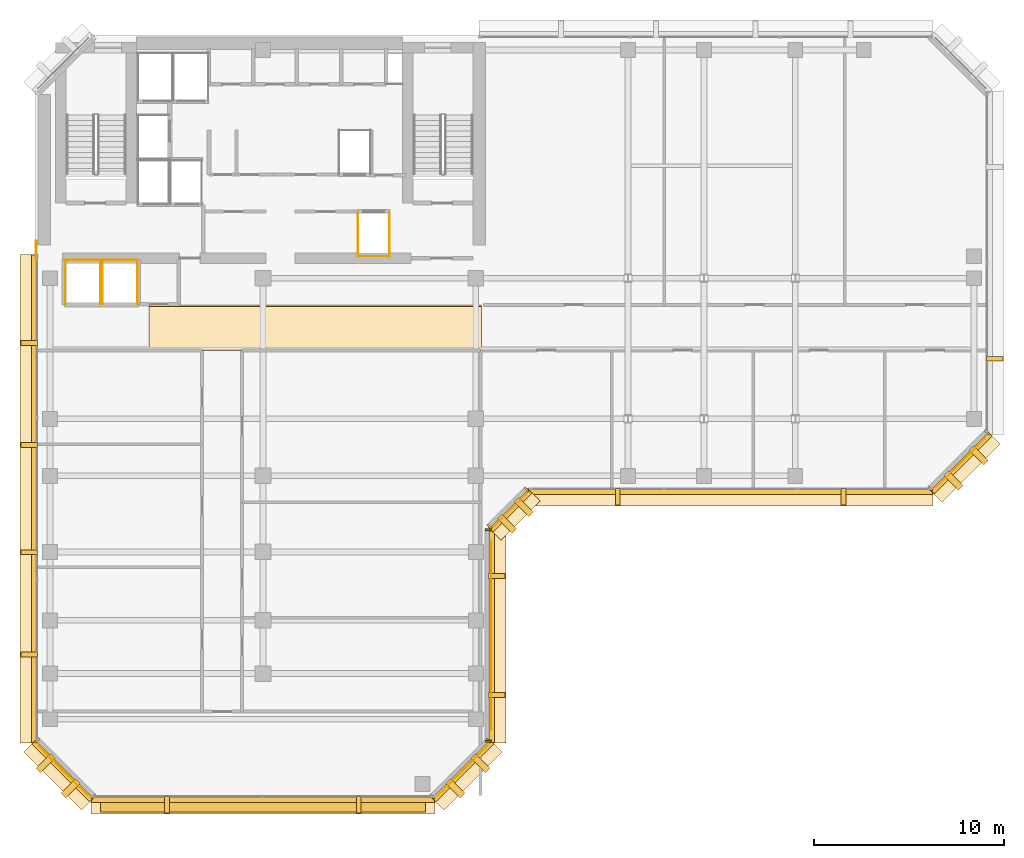
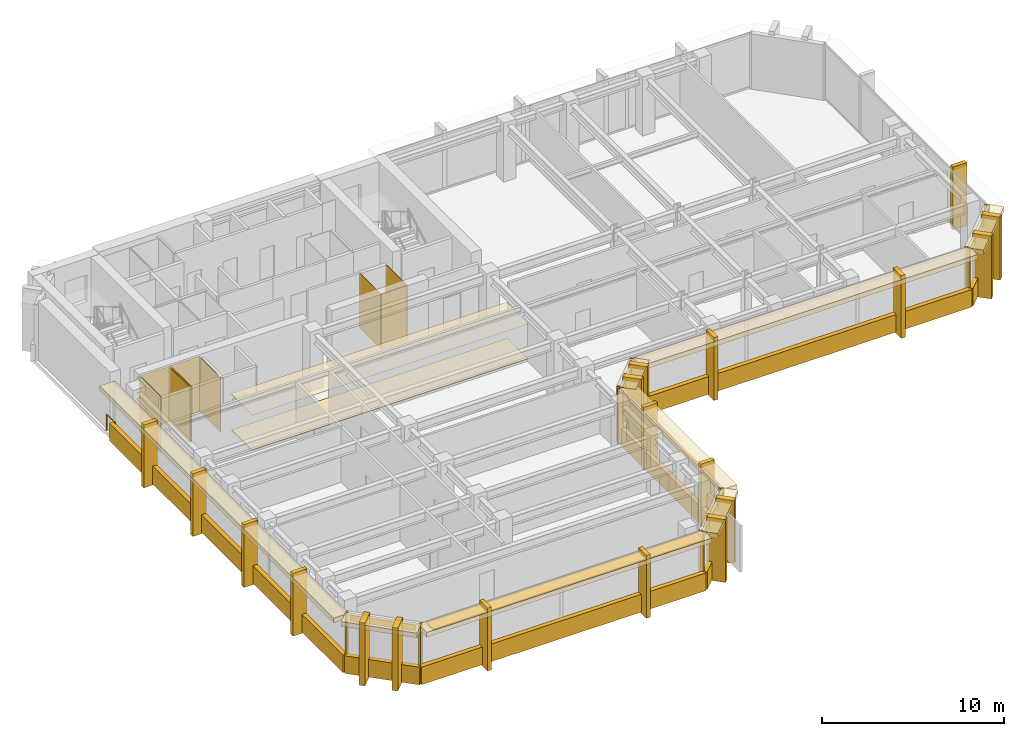
# One storey, part 9 of 12: 61 coverings, 1 railing, 1 shading device.
"""IFC4 building model written with IfcOpenShell, lengths in metres."""

from ifc_helpers import new_model, si_unit, direction, frame, origin, origin_2d, place, context, subcontext, project, spatial, polyline, rectangle, circle, outline, extrude, material, layer, layer_set, type_object, element, save


model = new_model("IFC4")

# Units and contexts
model_context = context("Model", 3, precision=1e-05, world=origin(), true_north=direction((0.0, 1.0)))
body_context = subcontext(model_context, "Body", "Model", "MODEL_VIEW")
ifc_project = project(units=[si_unit("LENGTHUNIT", "METRE"), si_unit("AREAUNIT", "SQUARE_METRE"), si_unit("VOLUMEUNIT", "CUBIC_METRE"), si_unit("PLANEANGLEUNIT", "RADIAN"), si_unit("MASSUNIT", "GRAM", prefix="KILO")], contexts=[model_context])

# Site, building, storey
site_placement = place(None, origin())
site = spatial("IfcSite", under=ifc_project, at=site_placement, CompositionType="ELEMENT")
building_placement = place(site_placement, origin())
building = spatial("IfcBuilding", under=site, at=building_placement, Name="Kefirva Bronze Tower", CompositionType="ELEMENT")
storey_placement = place(building_placement, frame((0.0, 0.0, 256.409912109375)))
storey = spatial("IfcBuildingStorey", under=building, at=storey_placement, Name="L62", CompositionType="ELEMENT", Elevation=256.409912109375)

# Coverings
ifc_material_1 = material(Name="Acoustic mineral tile")
ifc_layer_1 = layer(ifc_material_1, 0.02490234375, Name="Acoustic mineral tile")
ifc_layer_set_1 = layer_set([ifc_layer_1], Name="Acoustic mineral tile")
covering_type_1 = type_object("IfcCoveringType", Name="Acoustic Mineral Suspended Ceiling 25mm", PredefinedType="CEILING", material=ifc_layer_set_1)
covering_1_placement = place(storey_placement, frame((0.0, 0.0, 2.400146484375)))
element("IfcCovering", 1, at=covering_1_placement, inside=storey, type_object=covering_type_1, Name="L62 Corridor Acoustic Ceiling", PredefinedType="CEILING", context=body_context, shape_type="SweptSolid", body=[
    extrude(outline(polyline([(6.0, 29.39990234375), (23.5, 29.39990234375), (23.5, 31.800048828125), (6.0, 31.800048828125), (6.0, 29.39990234375)])), origin(), (0.0, 0.0, 1.0), 0.02490234375),
])
ifc_material_2 = material(Name="Bronze anodised aluminium", Category="aluminium")
ifc_layer_2 = layer(ifc_material_2, 0.02001953125, Name="Bronze anodised aluminium")
ifc_layer_set_2 = layer_set([ifc_layer_2], Name="Bronze anodised aluminium")
covering_type_2 = type_object("IfcCoveringType", Name="Anodised Bronze Spandrel Cladding 20mm", PredefinedType="CLADDING", material=ifc_layer_set_2)
covering_2_placement = place(storey_placement, frame((12.0, 5.760009765625, -0.15966796875), z_axis=(0.0, 0.0, 1.0), x_axis=(1.0, 0.0, 0.0)))
element("IfcCovering", 2, at=covering_2_placement, inside=storey, type_object=covering_type_2, Name="L62 Streamline Horizontal Spandrel Band 0", PredefinedType="CLADDING", context=body_context, shape_type="SweptSolid", body=[
    extrude(rectangle(XDim=18.0400390625, YDim=0.280029296875, at=origin_2d()), origin(), (0.0, 0.0, 1.0), 1.179931640625),
])
covering_3_placement = place(storey_placement, frame((22.507080078125, 7.29296875, 3.2900390625), z_axis=(0.0, 0.0, 1.0), x_axis=(0.707106781187, 0.707106781187, 0.0)))
element("IfcCovering", 3, at=covering_3_placement, inside=storey, type_object=covering_type_2, Name="L62 Bronze Spandrel Cladding 1", PredefinedType="CLADDING", context=body_context, shape_type="SweptSolid", body=[
    extrude(rectangle(XDim=3.719482421875, YDim=0.02001953125, at=origin_2d()), origin(), (0.0, 0.0, 1.0), 0.39990234375),
])
for number, where, z_axis, x_axis, name in (
    (4, (20.91162109375, 5.93798828125, 0.0), (0.0, 0.0, 1.0), (0.707106781187, 0.707106781187, 0.0), "L62 Facade Joint Closure Panel 1S"),
    (5, (23.862060546875, 8.88818359375, 0.0), (0.0, 0.0, 1.0), (0.707106781187, 0.707106781187, 0.0), "L62 Facade Joint Closure Panel 1E"),
):
    element("IfcCovering", number, at=place(storey_placement, frame(where, z_axis=z_axis, x_axis=x_axis)), inside=storey, type_object=covering_type_2, Name=name, PredefinedType="CLADDING", context=body_context, shape_type="SweptSolid", body=[
        extrude(rectangle(XDim=0.10009765625, YDim=0.320068359375, at=origin_2d()), origin(), (0.0, 0.0, 1.0), 3.7099609375),
    ])
covering_4_placement = place(storey_placement, frame((22.5283203125, 7.271728515625, -0.15966796875), z_axis=(0.0, 0.0, 1.0), x_axis=(0.707106781187, 0.707106781187, 0.0)))
element("IfcCovering", 6, at=covering_4_placement, inside=storey, type_object=covering_type_2, Name="L62 Streamline Horizontal Spandrel Band 1", PredefinedType="CLADDING", context=body_context, shape_type="SweptSolid", body=[
    extrude(rectangle(XDim=4.28271484375, YDim=0.280029296875, at=origin_2d()), origin(), (0.0, 0.0, 1.0), 1.179931640625),
])
covering_5_placement = place(storey_placement, frame((24.010009765625, 14.39990234375, 3.2900390625), z_axis=(0.0, 0.0, 1.0), x_axis=(0.0, 1.0, 0.0)))
element("IfcCovering", 7, at=covering_5_placement, inside=storey, type_object=covering_type_2, Name="L62 Bronze Spandrel Cladding 2", PredefinedType="CLADDING", context=body_context, shape_type="SweptSolid", body=[
    extrude(rectangle(XDim=9.98095703125, YDim=0.02001953125, at=origin_2d()), origin(), (0.0, 0.0, 1.0), 0.39990234375),
])
for number, where, z_axis, x_axis, name in (
    (8, (23.840087890625, 8.8349609375, 0.0), (0.0, 0.0, 1.0), (0.0, 1.0, 0.0), "L62 Facade Joint Closure Panel 2S"),
    (9, (23.840087890625, 19.965087890625, 0.0), (0.0, 0.0, 1.0), (0.0, 1.0, 0.0), "L62 Facade Joint Closure Panel 2E"),
):
    element("IfcCovering", number, at=place(storey_placement, frame(where, z_axis=z_axis, x_axis=x_axis)), inside=storey, type_object=covering_type_2, Name=name, PredefinedType="CLADDING", context=body_context, shape_type="SweptSolid", body=[
        extrude(rectangle(XDim=0.10009765625, YDim=0.320068359375, at=origin_2d()), origin(), (0.0, 0.0, 1.0), 3.7099609375),
    ])
covering_6_placement = place(storey_placement, frame((24.0400390625, 14.39990234375, -0.15966796875), z_axis=(0.0, 0.0, 1.0), x_axis=(0.0, 1.0, 0.0)))
element("IfcCovering", 10, at=covering_6_placement, inside=storey, type_object=covering_type_2, Name="L62 Streamline Horizontal Spandrel Band 2", PredefinedType="CLADDING", context=body_context, shape_type="SweptSolid", body=[
    extrude(rectangle(XDim=11.239990234375, YDim=0.280029296875, at=origin_2d()), origin(), (0.0, 0.0, 1.0), 1.179931640625),
])
covering_7_placement = place(storey_placement, frame((25.007080078125, 20.992919921875, 3.2900390625), z_axis=(0.0, 0.0, 1.0), x_axis=(0.707106781187, 0.707106781187, 0.0)))
element("IfcCovering", 11, at=covering_7_placement, inside=storey, type_object=covering_type_2, Name="L62 Bronze Spandrel Cladding 3", PredefinedType="CLADDING", context=body_context, shape_type="SweptSolid", body=[
    extrude(rectangle(XDim=2.446533203125, YDim=0.02001953125, at=origin_2d()), origin(), (0.0, 0.0, 1.0), 0.39990234375),
])
for number, where, z_axis, x_axis, name in (
    (12, (23.91162109375, 20.137939453125, 0.0), (0.0, 0.0, 1.0), (0.707106781187, 0.707106781187, 0.0), "L62 Facade Joint Closure Panel 3S"),
    (13, (25.862060546875, 22.08837890625, 0.0), (0.0, 0.0, 1.0), (0.707106781187, 0.707106781187, 0.0), "L62 Facade Joint Closure Panel 3E"),
):
    element("IfcCovering", number, at=place(storey_placement, frame(where, z_axis=z_axis, x_axis=x_axis)), inside=storey, type_object=covering_type_2, Name=name, PredefinedType="CLADDING", context=body_context, shape_type="SweptSolid", body=[
        extrude(rectangle(XDim=0.10009765625, YDim=0.320068359375, at=origin_2d()), origin(), (0.0, 0.0, 1.0), 3.7099609375),
    ])
covering_8_placement = place(storey_placement, frame((25.0283203125, 20.9716796875, -0.15966796875), z_axis=(0.0, 0.0, 1.0), x_axis=(0.707106781187, 0.707106781187, 0.0)))
element("IfcCovering", 14, at=covering_8_placement, inside=storey, type_object=covering_type_2, Name="L62 Streamline Horizontal Spandrel Band 3", PredefinedType="CLADDING", context=body_context, shape_type="SweptSolid", body=[
    extrude(rectangle(XDim=2.868408203125, YDim=0.280029296875, at=origin_2d()), origin(), (0.0, 0.0, 1.0), 1.179931640625),
])
covering_9_placement = place(storey_placement, frame((36.60009765625, 21.9599609375, -0.15966796875), z_axis=(0.0, 0.0, 1.0), x_axis=(1.0, 0.0, 0.0)))
element("IfcCovering", 15, at=covering_9_placement, inside=storey, type_object=covering_type_2, Name="L62 Streamline Horizontal Spandrel Band 4", PredefinedType="CLADDING", context=body_context, shape_type="SweptSolid", body=[
    extrude(rectangle(XDim=21.239990234375, YDim=0.280029296875, at=origin_2d()), origin(), (0.0, 0.0, 1.0), 1.179931640625),
])
covering_10_placement = place(storey_placement, frame((48.70703125, 23.492919921875, 3.2900390625), z_axis=(0.0, 0.0, 1.0), x_axis=(0.707106781187, 0.707106781187, 0.0)))
element("IfcCovering", 16, at=covering_10_placement, inside=storey, type_object=covering_type_2, Name="L62 Bronze Spandrel Cladding 4", PredefinedType="CLADDING", context=body_context, shape_type="SweptSolid", body=[
    extrude(rectangle(XDim=3.719482421875, YDim=0.02001953125, at=origin_2d()), origin(), (0.0, 0.0, 1.0), 0.39990234375),
])
for number, where, z_axis, x_axis, name in (
    (17, (47.11181640625, 22.137939453125, 0.0), (0.0, 0.0, 1.0), (0.707106781187, 0.707106781187, 0.0), "L62 Facade Joint Closure Panel 4S"),
    (18, (50.06201171875, 25.08837890625, 0.0), (0.0, 0.0, 1.0), (0.707106781187, 0.707106781187, 0.0), "L62 Facade Joint Closure Panel 4E"),
):
    element("IfcCovering", number, at=place(storey_placement, frame(where, z_axis=z_axis, x_axis=x_axis)), inside=storey, type_object=covering_type_2, Name=name, PredefinedType="CLADDING", context=body_context, shape_type="SweptSolid", body=[
        extrude(rectangle(XDim=0.10009765625, YDim=0.320068359375, at=origin_2d()), origin(), (0.0, 0.0, 1.0), 3.7099609375),
    ])
covering_11_placement = place(storey_placement, frame((48.728271484375, 23.4716796875, -0.15966796875), z_axis=(0.0, 0.0, 1.0), x_axis=(0.707106781187, 0.707106781187, 0.0)))
element("IfcCovering", 19, at=covering_11_placement, inside=storey, type_object=covering_type_2, Name="L62 Streamline Horizontal Spandrel Band 5", PredefinedType="CLADDING", context=body_context, shape_type="SweptSolid", body=[
    extrude(rectangle(XDim=4.28271484375, YDim=0.280029296875, at=origin_2d()), origin(), (0.0, 0.0, 1.0), 1.179931640625),
])
covering_12_placement = place(storey_placement, frame((-0.0400390625, 21.597412109375, -0.15966796875), z_axis=(0.0, 0.0, 1.0), x_axis=(0.0, -1.0, 0.0)))
element("IfcCovering", 20, at=covering_12_placement, inside=storey, type_object=covering_type_2, Name="L62 Streamline Horizontal Spandrel Band 10", PredefinedType="CLADDING", context=body_context, shape_type="SweptSolid", body=[
    extrude(rectangle(XDim=25.635009765625, YDim=0.280029296875, at=origin_2d()), origin(), (0.0, 0.0, 1.0), 1.179931640625),
])
covering_13_placement = place(storey_placement, frame((1.492919921875, 7.29296875, 3.2900390625), z_axis=(0.0, 0.0, 1.0), x_axis=(0.707106781187, -0.707106781187, 0.0)))
element("IfcCovering", 21, at=covering_13_placement, inside=storey, type_object=covering_type_2, Name="L62 Bronze Spandrel Cladding 7", PredefinedType="CLADDING", context=body_context, shape_type="SweptSolid", body=[
    extrude(rectangle(XDim=3.719482421875, YDim=0.02001953125, at=origin_2d()), origin(), (0.0, 0.0, 1.0), 0.39990234375),
])
for number, where, z_axis, x_axis, name in (
    (22, (0.137939453125, 8.88818359375, 0.0), (0.0, 0.0, 1.0), (0.707106781187, -0.707106781187, 0.0), "L62 Facade Joint Closure Panel 7S"),
    (23, (3.08837890625, 5.93798828125, 0.0), (0.0, 0.0, 1.0), (0.707106781187, -0.707106781187, 0.0), "L62 Facade Joint Closure Panel 7E"),
):
    element("IfcCovering", number, at=place(storey_placement, frame(where, z_axis=z_axis, x_axis=x_axis)), inside=storey, type_object=covering_type_2, Name=name, PredefinedType="CLADDING", context=body_context, shape_type="SweptSolid", body=[
        extrude(rectangle(XDim=0.10009765625, YDim=0.320068359375, at=origin_2d()), origin(), (0.0, 0.0, 1.0), 3.7099609375),
    ])
covering_14_placement = place(storey_placement, frame((1.4716796875, 7.271728515625, -0.15966796875), z_axis=(0.0, 0.0, 1.0), x_axis=(0.707106781187, -0.707106781187, 0.0)))
element("IfcCovering", 24, at=covering_14_placement, inside=storey, type_object=covering_type_2, Name="L62 Streamline Horizontal Spandrel Band 11", PredefinedType="CLADDING", context=body_context, shape_type="SweptSolid", body=[
    extrude(rectangle(XDim=4.28271484375, YDim=0.280029296875, at=origin_2d()), origin(), (0.0, 0.0, 1.0), 1.179931640625),
])
covering_15_placement = place(storey_placement, origin())
element("IfcCovering", 25, at=covering_15_placement, inside=storey, type_object=covering_type_2, Name="L62 Lift OB1 Hoistway Liner N", PredefinedType="CLADDING", context=body_context, shape_type="SweptSolid", body=[
    extrude(outline(polyline([(1.580078125, 34.139892578125), (3.469970703125, 34.139892578125), (3.469970703125, 34.159912109375), (1.580078125, 34.159912109375), (1.580078125, 34.139892578125)])), origin(), (0.0, 0.0, 1.0), 3.710205078125),
])
covering_16_placement = place(storey_placement, origin())
element("IfcCovering", 26, at=covering_16_placement, inside=storey, type_object=covering_type_2, Name="L62 Lift OB1 Hoistway Liner W", PredefinedType="CLADDING", context=body_context, shape_type="SweptSolid", body=[
    extrude(outline(polyline([(1.590087890625, 31.830078125), (1.610107421875, 31.830078125), (1.610107421875, 34.169921875), (1.590087890625, 34.169921875), (1.590087890625, 31.830078125)])), origin(), (0.0, 0.0, 1.0), 3.710205078125),
])
covering_17_placement = place(storey_placement, origin())
element("IfcCovering", 27, at=covering_17_placement, inside=storey, type_object=covering_type_2, Name="L62 Lift OB1 Hoistway Liner E", PredefinedType="CLADDING", context=body_context, shape_type="SweptSolid", body=[
    extrude(outline(polyline([(3.43994140625, 31.830078125), (3.4599609375, 31.830078125), (3.4599609375, 34.169921875), (3.43994140625, 34.169921875), (3.43994140625, 31.830078125)])), origin(), (0.0, 0.0, 1.0), 3.710205078125),
])
covering_18_placement = place(storey_placement, origin())
element("IfcCovering", 28, at=covering_18_placement, inside=storey, type_object=covering_type_2, Name="L62 Lift OB2 Hoistway Liner N", PredefinedType="CLADDING", context=body_context, shape_type="SweptSolid", body=[
    extrude(outline(polyline([(3.530029296875, 34.139892578125), (5.419921875, 34.139892578125), (5.419921875, 34.159912109375), (3.530029296875, 34.159912109375), (3.530029296875, 34.139892578125)])), origin(), (0.0, 0.0, 1.0), 3.710205078125),
])
covering_19_placement = place(storey_placement, origin())
element("IfcCovering", 29, at=covering_19_placement, inside=storey, type_object=covering_type_2, Name="L62 Lift OB2 Hoistway Liner W", PredefinedType="CLADDING", context=body_context, shape_type="SweptSolid", body=[
    extrude(outline(polyline([(3.5400390625, 31.830078125), (3.56005859375, 31.830078125), (3.56005859375, 34.169921875), (3.5400390625, 34.169921875), (3.5400390625, 31.830078125)])), origin(), (0.0, 0.0, 1.0), 3.710205078125),
])
covering_20_placement = place(storey_placement, origin())
element("IfcCovering", 30, at=covering_20_placement, inside=storey, type_object=covering_type_2, Name="L62 Lift OB2 Hoistway Liner E", PredefinedType="CLADDING", context=body_context, shape_type="SweptSolid", body=[
    extrude(outline(polyline([(5.389892578125, 31.830078125), (5.409912109375, 31.830078125), (5.409912109375, 34.169921875), (5.389892578125, 34.169921875), (5.389892578125, 31.830078125)])), origin(), (0.0, 0.0, 1.0), 3.710205078125),
])
covering_21_placement = place(storey_placement, origin())
element("IfcCovering", 31, at=covering_21_placement, inside=storey, type_object=covering_type_2, Name="L62 Lift HP1 Hoistway Liner S", PredefinedType="CLADDING", context=body_context, shape_type="SweptSolid", body=[
    extrude(outline(polyline([(16.97998046875, 34.340087890625), (18.669921875, 34.340087890625), (18.669921875, 34.360107421875), (16.97998046875, 34.360107421875), (16.97998046875, 34.340087890625)])), origin(), (0.0, 0.0, 1.0), 3.710205078125),
])
covering_22_placement = place(storey_placement, origin())
element("IfcCovering", 32, at=covering_22_placement, inside=storey, type_object=covering_type_2, Name="L62 Lift HP1 Hoistway Liner W", PredefinedType="CLADDING", context=body_context, shape_type="SweptSolid", body=[
    extrude(outline(polyline([(16.989990234375, 34.330078125), (17.010009765625, 34.330078125), (17.010009765625, 36.669921875), (16.989990234375, 36.669921875), (16.989990234375, 34.330078125)])), origin(), (0.0, 0.0, 1.0), 3.710205078125),
])
covering_23_placement = place(storey_placement, origin())
element("IfcCovering", 33, at=covering_23_placement, inside=storey, type_object=covering_type_2, Name="L62 Lift HP1 Hoistway Liner E", PredefinedType="CLADDING", context=body_context, shape_type="SweptSolid", body=[
    extrude(outline(polyline([(18.639892578125, 34.330078125), (18.659912109375, 34.330078125), (18.659912109375, 36.669921875), (18.639892578125, 36.669921875), (18.639892578125, 34.330078125)])), origin(), (0.0, 0.0, 1.0), 3.710205078125),
])

# Shading device
ifc_layer_3 = layer(ifc_material_2, 0.090087890625, Name="Bronze anodised aluminium")
ifc_layer_set_3 = layer_set([ifc_layer_3], Name="Bronze anodised aluminium")
shading_device_type = type_object("IfcShadingDeviceType", Name="Horizontal Bronze Sunshade Band 750mm", PredefinedType="JALOUSIE", material=ifc_layer_set_3)
shading_device_placement = place(storey_placement, frame((12.0, 5.5048828125, 3.60498046875), z_axis=(0.0, 0.0, 1.0), x_axis=(1.0, 0.0, 0.0)))
element("IfcShadingDevice", 34, at=shading_device_placement, inside=storey, type_object=shading_device_type, Name="L62 Horizontal Bronze Sunshade Band 0", PredefinedType="JALOUSIE", context=body_context, shape_type="SweptSolid", body=[
    extrude(rectangle(XDim=17.090087890625, YDim=0.75, at=origin_2d()), origin(), (0.0, 0.0, 1.0), 0.090087890625),
])

# Railing
ifc_material_3 = material(Name="Stainless steel 316", Category="steel")
railing_type = type_object("IfcRailingType", Name="Interior Stair Guardrail 1100mm", PredefinedType="GUARDRAIL", material=ifc_material_3)
railing_placement = place(storey_placement, frame((0.080078125, 34.199951171875, 0.0)))
element("IfcRailing", 35, at=railing_placement, inside=storey, type_object=railing_type, Name="L62 West Core Junction Guardrail", PredefinedType="GUARDRAIL", context=body_context, shape_type="SweptSolid", body=[
    extrude(circle(Radius=0.02392578125, at=origin_2d()), frame((0.0, 0.0, 1.076171875), z_axis=(0.0, 1.0, 0.0), x_axis=(-1.0, 0.0, 0.0)), (0.0, 0.0, 1.0), 0.949951171875),
    extrude(circle(Radius=0.02099609375, at=origin_2d()), origin(), (0.0, 0.0, 1.0), 1.052001953125),
    extrude(circle(Radius=0.02099609375, at=origin_2d()), frame((0.0, 0.949951171875, 0.0)), (0.0, 0.0, 1.0), 1.052001953125),
])

# Coverings
ifc_material_4 = material(Name="Calcium sulphate access tile")
ifc_layer_4 = layer(ifc_material_4, 0.044921875, Name="Calcium sulphate access tile")
ifc_layer_set_4 = layer_set([ifc_layer_4], Name="Calcium sulphate access tile")
covering_type_3 = type_object("IfcCoveringType", Name="Raised Access Office Flooring 45mm", PredefinedType="FLOORING", material=ifc_layer_set_4)
covering_24_placement = place(storey_placement, origin())
element("IfcCovering", 36, at=covering_24_placement, inside=storey, type_object=covering_type_3, Name="L62 Architectural Finish Flooring", PredefinedType="FLOORING", context=body_context, shape_type="SweptSolid", body=[
    extrude(outline(polyline([(6.0, 29.47998046875), (23.5, 29.47998046875), (23.5, 31.719970703125), (6.0, 31.719970703125), (6.0, 29.47998046875)])), origin(), (0.0, 0.0, 1.0), 0.045166015625),
])
ifc_layer_5 = layer(ifc_material_2, 0.179931640625, Name="Bronze anodised aluminium")
ifc_layer_set_5 = layer_set([ifc_layer_5], Name="Bronze anodised aluminium")
covering_type_4 = type_object("IfcCoveringType", Name="Streamline Bronze Sunshade Eyebrow Cladding 180mm", PredefinedType="CLADDING", material=ifc_layer_set_5)
covering_25_placement = place(storey_placement, frame((12.0, 5.489990234375, 3.39013671875), z_axis=(0.0, 0.0, 1.0), x_axis=(1.0, 0.0, 0.0)))
element("IfcCovering", 37, at=covering_25_placement, inside=storey, type_object=covering_type_4, Name="L62 Streamline Bronze Sunshade Eyebrow 0", PredefinedType="CLADDING", context=body_context, shape_type="SweptSolid", body=[
    extrude(rectangle(XDim=18.080078125, YDim=0.93994140625, at=origin_2d()), origin(), (0.0, 0.0, 1.0), 0.320068359375),
])
covering_26_placement = place(storey_placement, frame((22.71923828125, 7.080810546875, 3.39013671875), z_axis=(0.0, 0.0, 1.0), x_axis=(0.707106781187, 0.707106781187, 0.0)))
element("IfcCovering", 38, at=covering_26_placement, inside=storey, type_object=covering_type_4, Name="L62 Streamline Bronze Sunshade Eyebrow 1", PredefinedType="CLADDING", context=body_context, shape_type="SweptSolid", body=[
    extrude(rectangle(XDim=4.322509765625, YDim=0.93994140625, at=origin_2d()), origin(), (0.0, 0.0, 1.0), 0.320068359375),
])
covering_27_placement = place(storey_placement, frame((24.31005859375, 14.39990234375, 3.39013671875), z_axis=(0.0, 0.0, 1.0), x_axis=(0.0, 1.0, 0.0)))
element("IfcCovering", 39, at=covering_27_placement, inside=storey, type_object=covering_type_4, Name="L62 Streamline Bronze Sunshade Eyebrow 2", PredefinedType="CLADDING", context=body_context, shape_type="SweptSolid", body=[
    extrude(rectangle(XDim=11.280029296875, YDim=0.93994140625, at=origin_2d()), origin(), (0.0, 0.0, 1.0), 0.320068359375),
])
covering_28_placement = place(storey_placement, frame((25.21923828125, 20.78076171875, 3.39013671875), z_axis=(0.0, 0.0, 1.0), x_axis=(0.707106781187, 0.707106781187, 0.0)))
element("IfcCovering", 40, at=covering_28_placement, inside=storey, type_object=covering_type_4, Name="L62 Streamline Bronze Sunshade Eyebrow 3", PredefinedType="CLADDING", context=body_context, shape_type="SweptSolid", body=[
    extrude(rectangle(XDim=2.908447265625, YDim=0.93994140625, at=origin_2d()), origin(), (0.0, 0.0, 1.0), 0.320068359375),
])
covering_29_placement = place(storey_placement, frame((36.60009765625, 21.68994140625, 3.39013671875), z_axis=(0.0, 0.0, 1.0), x_axis=(1.0, 0.0, 0.0)))
element("IfcCovering", 41, at=covering_29_placement, inside=storey, type_object=covering_type_4, Name="L62 Streamline Bronze Sunshade Eyebrow 4", PredefinedType="CLADDING", context=body_context, shape_type="SweptSolid", body=[
    extrude(rectangle(XDim=21.280029296875, YDim=0.93994140625, at=origin_2d()), origin(), (0.0, 0.0, 1.0), 0.320068359375),
])
covering_30_placement = place(storey_placement, frame((48.919189453125, 23.28076171875, 3.39013671875), z_axis=(0.0, 0.0, 1.0), x_axis=(0.707106781187, 0.707106781187, 0.0)))
element("IfcCovering", 42, at=covering_30_placement, inside=storey, type_object=covering_type_4, Name="L62 Streamline Bronze Sunshade Eyebrow 5", PredefinedType="CLADDING", context=body_context, shape_type="SweptSolid", body=[
    extrude(rectangle(XDim=4.322509765625, YDim=0.93994140625, at=origin_2d()), origin(), (0.0, 0.0, 1.0), 0.320068359375),
])
covering_31_placement = place(storey_placement, frame((-0.31005859375, 21.597412109375, 3.39013671875), z_axis=(0.0, 0.0, 1.0), x_axis=(0.0, -1.0, 0.0)))
element("IfcCovering", 43, at=covering_31_placement, inside=storey, type_object=covering_type_4, Name="L62 Streamline Bronze Sunshade Eyebrow 10", PredefinedType="CLADDING", context=body_context, shape_type="SweptSolid", body=[
    extrude(rectangle(XDim=25.675048828125, YDim=0.93994140625, at=origin_2d()), origin(), (0.0, 0.0, 1.0), 0.320068359375),
])
covering_32_placement = place(storey_placement, frame((1.28076171875, 7.080810546875, 3.39013671875), z_axis=(0.0, 0.0, 1.0), x_axis=(0.707106781187, -0.707106781187, 0.0)))
element("IfcCovering", 44, at=covering_32_placement, inside=storey, type_object=covering_type_4, Name="L62 Streamline Bronze Sunshade Eyebrow 11", PredefinedType="CLADDING", context=body_context, shape_type="SweptSolid", body=[
    extrude(rectangle(XDim=4.322509765625, YDim=0.93994140625, at=origin_2d()), origin(), (0.0, 0.0, 1.0), 0.320068359375),
])
ifc_layer_6 = layer(ifc_material_2, 0.260009765625, Name="Bronze anodised aluminium")
ifc_layer_set_6 = layer_set([ifc_layer_6], Name="Bronze anodised aluminium")
covering_type_5 = type_object("IfcCoveringType", Name="Unbroken Bronze Buttress Fin Cladding 260mm", PredefinedType="CLADDING", material=ifc_layer_set_6)
for number, where, z_axis, x_axis, name in (
    (45, (6.9599609375, 5.5, -0.25), (0.0, 0.0, 1.0), (1.0, 0.0, 0.0), "L62 Unbroken Vertical Bronze Rib Fin 1"),
    (46, (17.0400390625, 5.5, -0.25), (0.0, 0.0, 1.0), (1.0, 0.0, 0.0), "L62 Unbroken Vertical Bronze Rib Fin 2"),
):
    element("IfcCovering", number, at=place(storey_placement, frame(where, z_axis=z_axis, x_axis=x_axis)), inside=storey, type_object=covering_type_5, Name=name, PredefinedType="CLADDING", context=body_context, shape_type="SweptSolid", body=[
        extrude(rectangle(XDim=0.260009765625, YDim=0.8798828125, at=origin_2d()), origin(), (0.0, 0.0, 1.0), 4.2099609375),
    ])
for number, where, z_axis, x_axis, name in (
    (47, (22.122802734375, 6.357177734375, -0.25), (0.0, 0.0, 1.0), (0.707106781187, 0.707106781187, 0.0), "L62 Chamfered Corner Buttress Fin Cladding 3"),
    (48, (23.44287109375, 7.67724609375, -0.25), (0.0, 0.0, 1.0), (0.707106781187, 0.707106781187, 0.0), "L62 Chamfered Corner Buttress Fin Cladding 4"),
):
    element("IfcCovering", number, at=place(storey_placement, frame(where, z_axis=z_axis, x_axis=x_axis)), inside=storey, type_object=covering_type_5, Name=name, PredefinedType="CLADDING", context=body_context, shape_type="SweptSolid", body=[
        extrude(rectangle(XDim=0.340087890625, YDim=1.080078125, at=origin_2d()), origin(), (0.0, 0.0, 1.0), 4.2099609375),
    ])
for number, where, z_axis, x_axis, name in (
    (49, (24.300048828125, 11.263916015625, -0.25), (0.0, 0.0, 1.0), (0.0, 1.0, 0.0), "L62 Unbroken Vertical Bronze Rib Fin 5"),
    (50, (24.300048828125, 17.535888671875, -0.25), (0.0, 0.0, 1.0), (0.0, 1.0, 0.0), "L62 Unbroken Vertical Bronze Rib Fin 6"),
):
    element("IfcCovering", number, at=place(storey_placement, frame(where, z_axis=z_axis, x_axis=x_axis)), inside=storey, type_object=covering_type_5, Name=name, PredefinedType="CLADDING", context=body_context, shape_type="SweptSolid", body=[
        extrude(rectangle(XDim=0.260009765625, YDim=0.8798828125, at=origin_2d()), origin(), (0.0, 0.0, 1.0), 4.2099609375),
    ])
for number, where, z_axis, x_axis, name in (
    (51, (24.8427734375, 20.277099609375, -0.25), (0.0, 0.0, 1.0), (0.707106781187, 0.707106781187, 0.0), "L62 Chamfered Corner Buttress Fin Cladding 7"),
    (52, (25.722900390625, 21.1572265625, -0.25), (0.0, 0.0, 1.0), (0.707106781187, 0.707106781187, 0.0), "L62 Chamfered Corner Buttress Fin Cladding 8"),
):
    element("IfcCovering", number, at=place(storey_placement, frame(where, z_axis=z_axis, x_axis=x_axis)), inside=storey, type_object=covering_type_5, Name=name, PredefinedType="CLADDING", context=body_context, shape_type="SweptSolid", body=[
        extrude(rectangle(XDim=0.340087890625, YDim=1.080078125, at=origin_2d()), origin(), (0.0, 0.0, 1.0), 4.2099609375),
    ])
for number, where, z_axis, x_axis, name in (
    (53, (30.6640625, 21.699951171875, -0.25), (0.0, 0.0, 1.0), (1.0, 0.0, 0.0), "L62 Unbroken Vertical Bronze Rib Fin 9"),
    (54, (42.535888671875, 21.699951171875, -0.25), (0.0, 0.0, 1.0), (1.0, 0.0, 0.0), "L62 Unbroken Vertical Bronze Rib Fin 10"),
):
    element("IfcCovering", number, at=place(storey_placement, frame(where, z_axis=z_axis, x_axis=x_axis)), inside=storey, type_object=covering_type_5, Name=name, PredefinedType="CLADDING", context=body_context, shape_type="SweptSolid", body=[
        extrude(rectangle(XDim=0.260009765625, YDim=0.8798828125, at=origin_2d()), origin(), (0.0, 0.0, 1.0), 4.2099609375),
    ])
for number, where, z_axis, x_axis, name in (
    (55, (48.32275390625, 22.55712890625, -0.25), (0.0, 0.0, 1.0), (0.707106781187, 0.707106781187, 0.0), "L62 Chamfered Corner Buttress Fin Cladding 11"),
    (56, (49.642822265625, 23.877197265625, -0.25), (0.0, 0.0, 1.0), (0.707106781187, 0.707106781187, 0.0), "L62 Chamfered Corner Buttress Fin Cladding 12"),
):
    element("IfcCovering", number, at=place(storey_placement, frame(where, z_axis=z_axis, x_axis=x_axis)), inside=storey, type_object=covering_type_5, Name=name, PredefinedType="CLADDING", context=body_context, shape_type="SweptSolid", body=[
        extrude(rectangle(XDim=0.340087890625, YDim=1.080078125, at=origin_2d()), origin(), (0.0, 0.0, 1.0), 4.2099609375),
    ])
for number, where, z_axis, x_axis, name in (
    (57, (50.5, 28.9599609375, -0.25), (0.0, 0.0, 1.0), (0.0, 1.0, 0.0), "L62 Unbroken Vertical Bronze Rib Fin 13"),
    (58, (-0.300048828125, 29.787841796875, -0.25), (0.0, 0.0, 1.0), (0.0, -1.0, 0.0), "L62 Unbroken Vertical Bronze Rib Fin 23"),
    (59, (-0.300048828125, 24.4130859375, -0.25), (0.0, 0.0, 1.0), (0.0, -1.0, 0.0), "L62 Unbroken Vertical Bronze Rib Fin 24"),
    (60, (-0.300048828125, 18.781982421875, -0.25), (0.0, 0.0, 1.0), (0.0, -1.0, 0.0), "L62 Unbroken Vertical Bronze Rib Fin 25"),
    (61, (-0.300048828125, 13.406982421875, -0.25), (0.0, 0.0, 1.0), (0.0, -1.0, 0.0), "L62 Unbroken Vertical Bronze Rib Fin 26"),
):
    element("IfcCovering", number, at=place(storey_placement, frame(where, z_axis=z_axis, x_axis=x_axis)), inside=storey, type_object=covering_type_5, Name=name, PredefinedType="CLADDING", context=body_context, shape_type="SweptSolid", body=[
        extrude(rectangle(XDim=0.260009765625, YDim=0.8798828125, at=origin_2d()), origin(), (0.0, 0.0, 1.0), 4.2099609375),
    ])
for number, where, z_axis, x_axis, name in (
    (62, (0.55712890625, 7.67724609375, -0.25), (0.0, 0.0, 1.0), (0.707106781187, -0.707106781187, 0.0), "L62 Chamfered Corner Buttress Fin Cladding 27"),
    (63, (1.877197265625, 6.357177734375, -0.25), (0.0, 0.0, 1.0), (0.707106781187, -0.707106781187, 0.0), "L62 Chamfered Corner Buttress Fin Cladding 28"),
):
    element("IfcCovering", number, at=place(storey_placement, frame(where, z_axis=z_axis, x_axis=x_axis)), inside=storey, type_object=covering_type_5, Name=name, PredefinedType="CLADDING", context=body_context, shape_type="SweptSolid", body=[
        extrude(rectangle(XDim=0.340087890625, YDim=1.080078125, at=origin_2d()), origin(), (0.0, 0.0, 1.0), 4.2099609375),
    ])

save(model, "model.ifc")
